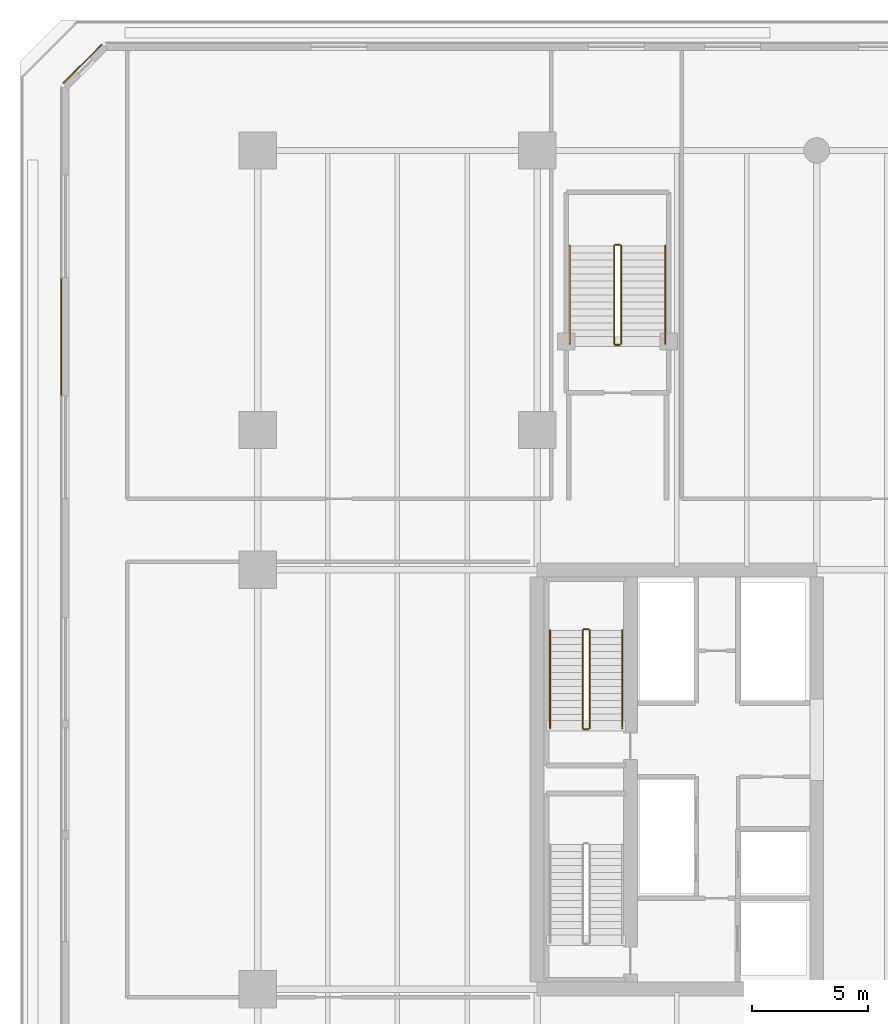
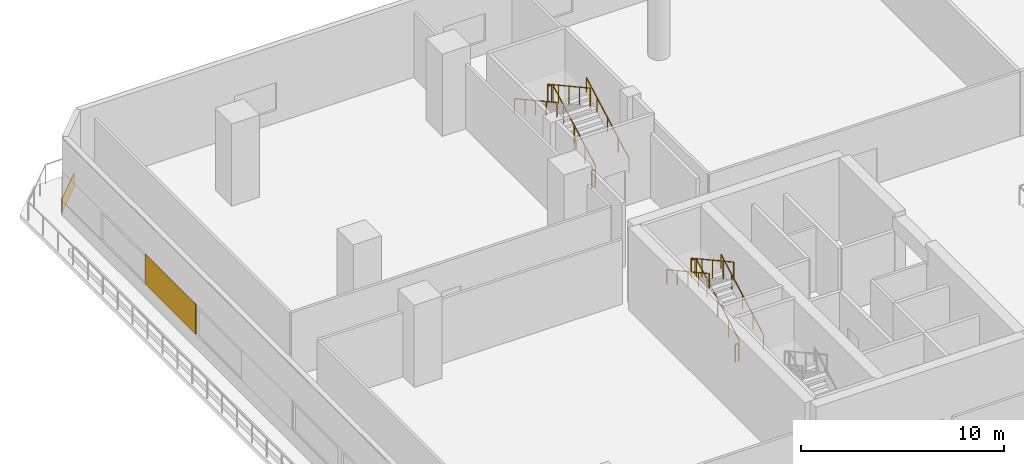
# One storey, part 22 of 27: 12 railings, 2 coverings.
"""IFC4 building model written with IfcOpenShell, lengths in metres."""

from ifc_helpers import new_model, si_unit, direction, frame, origin, origin_2d, place, context, subcontext, project, spatial, rectangle, extrude, material, layer, layer_set, type_object, element, save


model = new_model("IFC4")

# Units and contexts
model_context = context("Model", 3, precision=1e-05, world=origin(), true_north=direction((0.0, 1.0)))
body_context = subcontext(model_context, "Body", "Model", "MODEL_VIEW")
ifc_project = project(units=[si_unit("LENGTHUNIT", "METRE"), si_unit("AREAUNIT", "SQUARE_METRE"), si_unit("VOLUMEUNIT", "CUBIC_METRE"), si_unit("PLANEANGLEUNIT", "RADIAN"), si_unit("MASSUNIT", "GRAM", prefix="KILO")], contexts=[model_context])

# Site, building, storey
site_placement = place(None, origin())
site = spatial("IfcSite", under=ifc_project, at=site_placement, CompositionType="ELEMENT")
building_placement = place(site_placement, origin())
building = spatial("IfcBuilding", under=site, at=building_placement, Name="Tanjung Sevakor Pilgrim Tower", CompositionType="ELEMENT")
storey_placement = place(building_placement, frame((0.0, 0.0, 9.89990234375)))
storey = spatial("IfcBuildingStorey", under=building, at=storey_placement, Name="L03", CompositionType="ELEMENT", Elevation=9.89990234375)

# Coverings
ifc_material_1 = material(Name="Reconstructed Limestone Cladding", Category="masonry")
ifc_layer = layer(ifc_material_1, 0.044921875)
ifc_layer_set = layer_set([ifc_layer], Name="COV-CLAD-LIMESTONE")
covering_type = type_object("IfcCoveringType", Name="COV-CLAD-LIMESTONE", PredefinedType="CLADDING", material=ifc_layer_set)
covering_1_placement = place(storey_placement, frame((4.484130859375, 64.31591796875, 0.01025390625), z_axis=(0.0, 0.0, 1.0), x_axis=(-0.707106781187, -0.707106781187, 0.0)))
element("IfcCovering", 1, at=covering_1_placement, inside=storey, type_object=covering_type, Name="L03 Warm Limestone Sill Spandrel EW-L03-MAIN-6-1", PredefinedType="CLADDING", context=body_context, shape_type="SweptSolid", body=[
    extrude(rectangle(XDim=2.34130859375, YDim=0.044921875, at=origin_2d()), origin(), (0.0, 0.0, 1.0), 0.840087890625),
])
covering_2_placement = place(storey_placement, frame((3.577392578125, 52.60009765625, 0.85009765625), z_axis=(0.0, 0.0, 1.0), x_axis=(0.0, -1.0, 0.0)))
element("IfcCovering", 2, at=covering_2_placement, inside=storey, type_object=covering_type, Name="L03 Warm Limestone Pier Panel EW-L03-MAIN-7-1", PredefinedType="CLADDING", context=body_context, shape_type="SweptSolid", body=[
    extrude(rectangle(XDim=5.0, YDim=0.044921875, at=origin_2d()), origin(), (0.0, 0.0, 1.0), 1.81005859375),
])

# Railings
ifc_material_2 = material(Name="Steel S355J2", Category="steel")
railing_type_1 = type_object("IfcRailingType", Name="RL-STAIR-GUARD", PredefinedType="GUARDRAIL", material=ifc_material_2)
railing_1_placement = place(storey_placement, frame((26.25, 35.800048828125, 0.1650390625)))
element("IfcRailing", 3, at=railing_1_placement, inside=storey, type_object=railing_type_1, Name="L03 TS-W2 stair guard 1", PredefinedType="GUARDRAIL", context=body_context, shape_type="SweptSolid", body=[
    extrude(rectangle(XDim=0.0479, YDim=0.0479), frame((0.0, 0.0, 1.076171875), z_axis=(0.0, 0.876208380975, 0.481932436249), x_axis=(-1.0, 0.0, 0.0)), (0.0, 0.0, 1.0), 4.793212890625),
    extrude(rectangle(XDim=0.042, YDim=0.042), origin(), (0.0, 0.0, 1.0), 1.052001953125),
    extrude(rectangle(XDim=0.042, YDim=0.042), frame((0.0, 1.050048828125, 0.57763671875)), (0.0, 0.0, 1.0), 1.052001953125),
    extrude(rectangle(XDim=0.042, YDim=0.042), frame((0.0, 2.10009765625, 1.155029296875)), (0.0, 0.0, 1.0), 1.052001953125),
    extrude(rectangle(XDim=0.042, YDim=0.042), frame((0.0, 3.14990234375, 1.732421875)), (0.0, 0.0, 1.0), 1.052001953125),
    extrude(rectangle(XDim=0.042, YDim=0.042), frame((0.0, 4.199951171875, 2.31005859375)), (0.0, 0.0, 1.0), 1.052001953125),
])
railing_2_placement = place(storey_placement, frame((26.199951171875, 40.050048828125, 2.47509765625)))
element("IfcRailing", 4, at=railing_2_placement, inside=storey, type_object=railing_type_1, Name="L03 TS-W2 stair guard 2", PredefinedType="GUARDRAIL", context=body_context, shape_type="SweptSolid", body=[
    extrude(rectangle(XDim=0.0479, YDim=0.0479), frame((0.0, 0.0, 1.076171875), z_axis=(-1.0, 0.0, 0.0), x_axis=(0.0, -1.0, 0.0)), (0.0, 0.0, 1.0), 0.199951171875),
    extrude(rectangle(XDim=0.042, YDim=0.042), origin(), (0.0, 0.0, 1.0), 1.052001953125),
    extrude(rectangle(XDim=0.042, YDim=0.042), frame((-0.199951171875, 0.0, 0.0)), (0.0, 0.0, 1.0), 1.052001953125),
])
railing_3_placement = place(storey_placement, frame((25.949951171875, 40.0, 2.64013671875)))
element("IfcRailing", 5, at=railing_3_placement, inside=storey, type_object=railing_type_1, Name="L03 TS-W2 stair guard 3", PredefinedType="GUARDRAIL", context=body_context, shape_type="SweptSolid", body=[
    extrude(rectangle(XDim=0.0479, YDim=0.0479), frame((0.0, 0.0, 1.076171875), z_axis=(0.0, -0.876208380975, 0.481932436249), x_axis=(1.0, 0.0, 0.0)), (0.0, 0.0, 1.0), 4.793212890625),
    extrude(rectangle(XDim=0.042, YDim=0.042), origin(), (0.0, 0.0, 1.0), 1.052001953125),
    extrude(rectangle(XDim=0.042, YDim=0.042), frame((0.0, -1.050048828125, 0.57763671875)), (0.0, 0.0, 1.0), 1.052001953125),
    extrude(rectangle(XDim=0.042, YDim=0.042), frame((0.0, -2.10009765625, 1.155029296875)), (0.0, 0.0, 1.0), 1.052001953125),
    extrude(rectangle(XDim=0.042, YDim=0.042), frame((0.0, -3.14990234375, 1.732421875)), (0.0, 0.0, 1.0), 1.052001953125),
    extrude(rectangle(XDim=0.042, YDim=0.042), frame((0.0, -4.199951171875, 2.31005859375)), (0.0, 0.0, 1.0), 1.052001953125),
])
railing_4_placement = place(storey_placement, frame((26.199951171875, 35.75, 0.0)))
element("IfcRailing", 6, at=railing_4_placement, inside=storey, type_object=railing_type_1, Name="L03 TS-W2 stair guard 4", PredefinedType="GUARDRAIL", context=body_context, shape_type="SweptSolid", body=[
    extrude(rectangle(XDim=0.0479, YDim=0.0479), frame((0.0, 0.0, 1.076171875), z_axis=(-1.0, 0.0, 0.0), x_axis=(0.0, -1.0, 0.0)), (0.0, 0.0, 1.0), 0.199951171875),
    extrude(rectangle(XDim=0.042, YDim=0.042), origin(), (0.0, 0.0, 1.0), 1.052001953125),
    extrude(rectangle(XDim=0.042, YDim=0.042), frame((-0.199951171875, 0.0, 0.0)), (0.0, 0.0, 1.0), 1.052001953125),
])
railing_5_placement = place(storey_placement, frame((27.60009765625, 52.300048828125, 0.1650390625)))
element("IfcRailing", 7, at=railing_5_placement, inside=storey, type_object=railing_type_1, Name="L03 PS-2 stair guard 1", PredefinedType="GUARDRAIL", context=body_context, shape_type="SweptSolid", body=[
    extrude(rectangle(XDim=0.0479, YDim=0.0479), frame((0.0, 0.0, 1.076171875), z_axis=(0.0, 0.876208380975, 0.481932436249), x_axis=(-1.0, 0.0, 0.0)), (0.0, 0.0, 1.0), 4.793212890625),
    extrude(rectangle(XDim=0.042, YDim=0.042), origin(), (0.0, 0.0, 1.0), 1.052001953125),
    extrude(rectangle(XDim=0.042, YDim=0.042), frame((0.0, 1.050048828125, 0.57763671875)), (0.0, 0.0, 1.0), 1.052001953125),
    extrude(rectangle(XDim=0.042, YDim=0.042), frame((0.0, 2.10009765625, 1.155029296875)), (0.0, 0.0, 1.0), 1.052001953125),
    extrude(rectangle(XDim=0.042, YDim=0.042), frame((0.0, 3.14990234375, 1.732421875)), (0.0, 0.0, 1.0), 1.052001953125),
    extrude(rectangle(XDim=0.042, YDim=0.042), frame((0.0, 4.199951171875, 2.31005859375)), (0.0, 0.0, 1.0), 1.052001953125),
])
railing_6_placement = place(storey_placement, frame((27.550048828125, 56.550048828125, 2.47509765625)))
element("IfcRailing", 8, at=railing_6_placement, inside=storey, type_object=railing_type_1, Name="L03 PS-2 stair guard 2", PredefinedType="GUARDRAIL", context=body_context, shape_type="SweptSolid", body=[
    extrude(rectangle(XDim=0.0479, YDim=0.0479), frame((0.0, 0.0, 1.076171875), z_axis=(-1.0, 0.0, 0.0), x_axis=(0.0, -1.0, 0.0)), (0.0, 0.0, 1.0), 0.199951171875),
    extrude(rectangle(XDim=0.042, YDim=0.042), origin(), (0.0, 0.0, 1.0), 1.052001953125),
    extrude(rectangle(XDim=0.042, YDim=0.042), frame((-0.199951171875, 0.0, 0.0)), (0.0, 0.0, 1.0), 1.052001953125),
])
railing_7_placement = place(storey_placement, frame((27.300048828125, 56.5, 2.64013671875)))
element("IfcRailing", 9, at=railing_7_placement, inside=storey, type_object=railing_type_1, Name="L03 PS-2 stair guard 3", PredefinedType="GUARDRAIL", context=body_context, shape_type="SweptSolid", body=[
    extrude(rectangle(XDim=0.0479, YDim=0.0479), frame((0.0, 0.0, 1.076171875), z_axis=(0.0, -0.876208380975, 0.481932436249), x_axis=(1.0, 0.0, 0.0)), (0.0, 0.0, 1.0), 4.793212890625),
    extrude(rectangle(XDim=0.042, YDim=0.042), origin(), (0.0, 0.0, 1.0), 1.052001953125),
    extrude(rectangle(XDim=0.042, YDim=0.042), frame((0.0, -1.050048828125, 0.57763671875)), (0.0, 0.0, 1.0), 1.052001953125),
    extrude(rectangle(XDim=0.042, YDim=0.042), frame((0.0, -2.10009765625, 1.155029296875)), (0.0, 0.0, 1.0), 1.052001953125),
    extrude(rectangle(XDim=0.042, YDim=0.042), frame((0.0, -3.14990234375, 1.732421875)), (0.0, 0.0, 1.0), 1.052001953125),
    extrude(rectangle(XDim=0.042, YDim=0.042), frame((0.0, -4.199951171875, 2.31005859375)), (0.0, 0.0, 1.0), 1.052001953125),
])
railing_8_placement = place(storey_placement, frame((27.550048828125, 52.25, 0.0)))
element("IfcRailing", 10, at=railing_8_placement, inside=storey, type_object=railing_type_1, Name="L03 PS-2 stair guard 4", PredefinedType="GUARDRAIL", context=body_context, shape_type="SweptSolid", body=[
    extrude(rectangle(XDim=0.0479, YDim=0.0479), frame((0.0, 0.0, 1.076171875), z_axis=(-1.0, 0.0, 0.0), x_axis=(0.0, -1.0, 0.0)), (0.0, 0.0, 1.0), 0.199951171875),
    extrude(rectangle(XDim=0.042, YDim=0.042), origin(), (0.0, 0.0, 1.0), 1.052001953125),
    extrude(rectangle(XDim=0.042, YDim=0.042), frame((-0.199951171875, 0.0, 0.0)), (0.0, 0.0, 1.0), 1.052001953125),
])
ifc_material_3 = material(Name="Steel S355J2", Category="steel")
railing_type_2 = type_object("IfcRailingType", Name="RL-STAIR-HAND", PredefinedType="HANDRAIL", material=ifc_material_3)
railing_9_placement = place(storey_placement, frame((27.64990234375, 35.800048828125, 0.1650390625)))
element("IfcRailing", 11, at=railing_9_placement, inside=storey, type_object=railing_type_2, Name="L03 TS-W2 stair handrail 1", PredefinedType="HANDRAIL", context=body_context, shape_type="SweptSolid", body=[
    extrude(rectangle(XDim=0.0479, YDim=0.0479), frame((0.0, 0.0, 0.8759765625), z_axis=(0.0, 0.876208380975, 0.481932436249), x_axis=(-1.0, 0.0, 0.0)), (0.0, 0.0, 1.0), 4.793212890625),
    extrude(rectangle(XDim=0.042, YDim=0.042), origin(), (0.0, 0.0, 1.0), 0.851806640625),
    extrude(rectangle(XDim=0.042, YDim=0.042), frame((0.0, 1.050048828125, 0.57763671875)), (0.0, 0.0, 1.0), 0.851806640625),
    extrude(rectangle(XDim=0.042, YDim=0.042), frame((0.0, 2.10009765625, 1.155029296875)), (0.0, 0.0, 1.0), 0.851806640625),
    extrude(rectangle(XDim=0.042, YDim=0.042), frame((0.0, 3.14990234375, 1.732421875)), (0.0, 0.0, 1.0), 0.851806640625),
    extrude(rectangle(XDim=0.042, YDim=0.042), frame((0.0, 4.199951171875, 2.31005859375)), (0.0, 0.0, 1.0), 0.851806640625),
])
railing_10_placement = place(storey_placement, frame((24.550048828125, 40.0, 2.64013671875)))
element("IfcRailing", 12, at=railing_10_placement, inside=storey, type_object=railing_type_2, Name="L03 TS-W2 stair handrail 2", PredefinedType="HANDRAIL", context=body_context, shape_type="SweptSolid", body=[
    extrude(rectangle(XDim=0.0479, YDim=0.0479), frame((0.0, 0.0, 0.8759765625), z_axis=(0.0, -0.876208380975, 0.481932436249), x_axis=(1.0, 0.0, 0.0)), (0.0, 0.0, 1.0), 4.793212890625),
    extrude(rectangle(XDim=0.042, YDim=0.042), origin(), (0.0, 0.0, 1.0), 0.851806640625),
    extrude(rectangle(XDim=0.042, YDim=0.042), frame((0.0, -1.050048828125, 0.57763671875)), (0.0, 0.0, 1.0), 0.851806640625),
    extrude(rectangle(XDim=0.042, YDim=0.042), frame((0.0, -2.10009765625, 1.155029296875)), (0.0, 0.0, 1.0), 0.851806640625),
    extrude(rectangle(XDim=0.042, YDim=0.042), frame((0.0, -3.14990234375, 1.732421875)), (0.0, 0.0, 1.0), 0.851806640625),
    extrude(rectangle(XDim=0.042, YDim=0.042), frame((0.0, -4.199951171875, 2.31005859375)), (0.0, 0.0, 1.0), 0.851806640625),
])
railing_11_placement = place(storey_placement, frame((29.5, 52.300048828125, 0.1650390625)))
element("IfcRailing", 13, at=railing_11_placement, inside=storey, type_object=railing_type_2, Name="L03 PS-2 stair handrail 1", PredefinedType="HANDRAIL", context=body_context, shape_type="SweptSolid", body=[
    extrude(rectangle(XDim=0.0479, YDim=0.0479), frame((0.0, 0.0, 0.8759765625), z_axis=(0.0, 0.876208380975, 0.481932436249), x_axis=(-1.0, 0.0, 0.0)), (0.0, 0.0, 1.0), 4.793212890625),
    extrude(rectangle(XDim=0.042, YDim=0.042), origin(), (0.0, 0.0, 1.0), 0.851806640625),
    extrude(rectangle(XDim=0.042, YDim=0.042), frame((0.0, 1.050048828125, 0.57763671875)), (0.0, 0.0, 1.0), 0.851806640625),
    extrude(rectangle(XDim=0.042, YDim=0.042), frame((0.0, 2.10009765625, 1.155029296875)), (0.0, 0.0, 1.0), 0.851806640625),
    extrude(rectangle(XDim=0.042, YDim=0.042), frame((0.0, 3.14990234375, 1.732421875)), (0.0, 0.0, 1.0), 0.851806640625),
    extrude(rectangle(XDim=0.042, YDim=0.042), frame((0.0, 4.199951171875, 2.31005859375)), (0.0, 0.0, 1.0), 0.851806640625),
])
railing_12_placement = place(storey_placement, frame((25.39990234375, 56.5, 2.64013671875)))
element("IfcRailing", 14, at=railing_12_placement, inside=storey, type_object=railing_type_2, Name="L03 PS-2 stair handrail 2", PredefinedType="HANDRAIL", context=body_context, shape_type="SweptSolid", body=[
    extrude(rectangle(XDim=0.0479, YDim=0.0479), frame((0.0, 0.0, 0.8759765625), z_axis=(0.0, -0.876208380975, 0.481932436249), x_axis=(1.0, 0.0, 0.0)), (0.0, 0.0, 1.0), 4.793212890625),
    extrude(rectangle(XDim=0.042, YDim=0.042), origin(), (0.0, 0.0, 1.0), 0.851806640625),
    extrude(rectangle(XDim=0.042, YDim=0.042), frame((0.0, -1.050048828125, 0.57763671875)), (0.0, 0.0, 1.0), 0.851806640625),
    extrude(rectangle(XDim=0.042, YDim=0.042), frame((0.0, -2.10009765625, 1.155029296875)), (0.0, 0.0, 1.0), 0.851806640625),
    extrude(rectangle(XDim=0.042, YDim=0.042), frame((0.0, -3.14990234375, 1.732421875)), (0.0, 0.0, 1.0), 0.851806640625),
    extrude(rectangle(XDim=0.042, YDim=0.042), frame((0.0, -4.199951171875, 2.31005859375)), (0.0, 0.0, 1.0), 0.851806640625),
])

save(model, "model.ifc")
